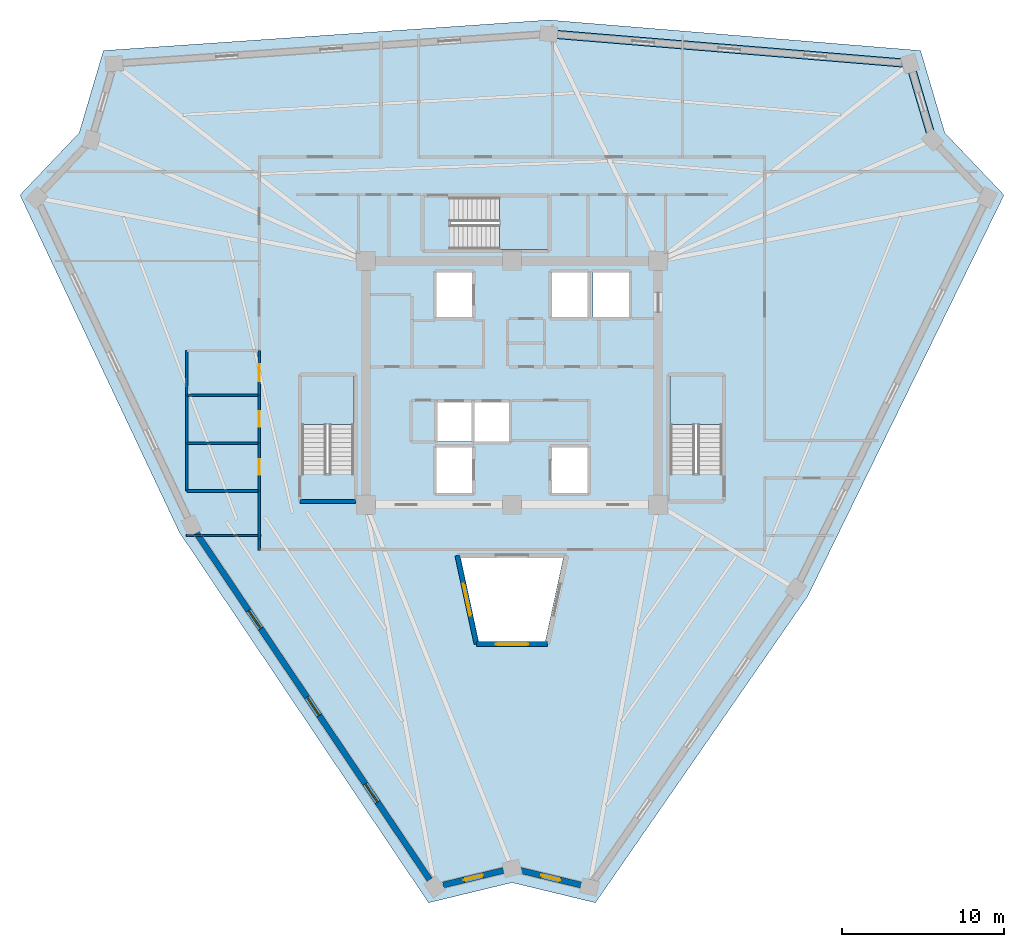
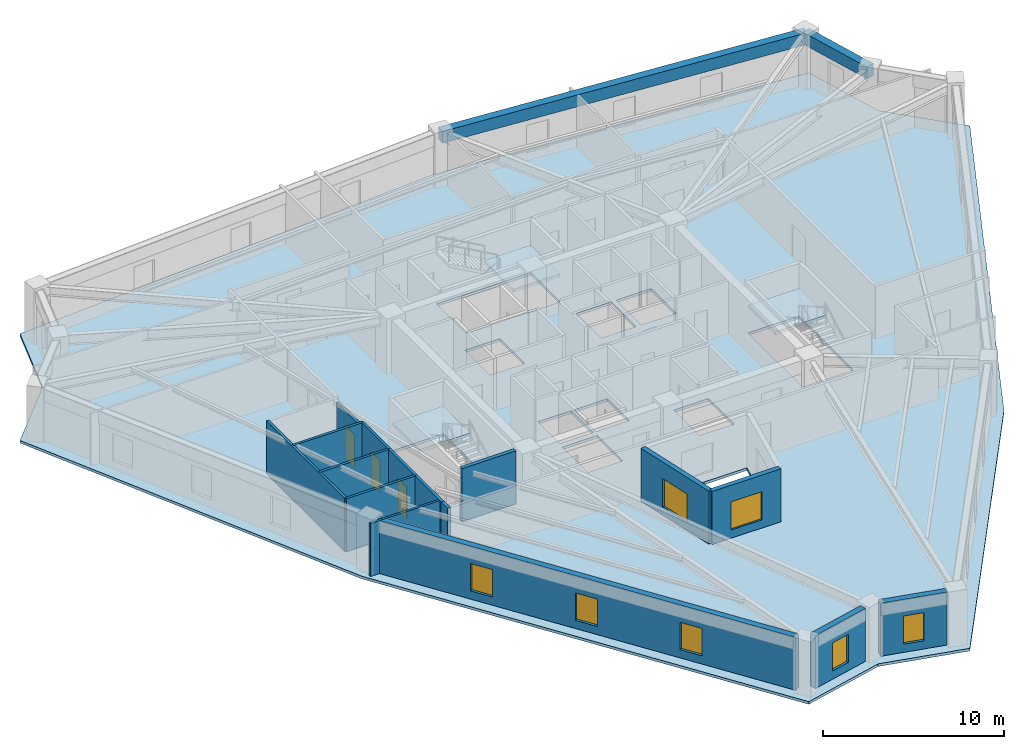
# One storey, part 2 of 8: 16 walls, 7 windows, 4 slabs, 3 doors, 2 beams, 10 openings, 3 elements without a shape of their own.
"""IFC4 building model written with IfcOpenShell, lengths in metres."""

from ifc_helpers import new_model, si_unit, direction, frame, frame_2d, origin, origin_2d, place, context, subcontext, project, spatial, polyline, rectangle, outline, extrude, source, transform, mapped, material, layer, layer_set, material_profile, profile_set, type_object, element, fill, aggregate, save


model = new_model("IFC4")

# Units and contexts
model_context = context("Model", 3, precision=1e-05, world=origin(), true_north=direction((0.0, 1.0)))
body_context = subcontext(model_context, "Body", "Model", "MODEL_VIEW")
ifc_project = project(units=[si_unit("LENGTHUNIT", "METRE"), si_unit("AREAUNIT", "SQUARE_METRE"), si_unit("VOLUMEUNIT", "CUBIC_METRE"), si_unit("PLANEANGLEUNIT", "RADIAN"), si_unit("MASSUNIT", "GRAM", prefix="KILO")], contexts=[model_context])

# Site, building, storey
site_placement = place(None, origin())
site = spatial("IfcSite", under=ifc_project, at=site_placement, CompositionType="ELEMENT")
building_placement = place(site_placement, origin())
building = spatial("IfcBuilding", under=site, at=building_placement, Name="Liaohun Quay Tower", CompositionType="ELEMENT")
storey_placement = place(building_placement, frame((0.0, 0.0, 332.25)))
storey = spatial("IfcBuildingStorey", under=building, at=storey_placement, Name="L86", CompositionType="ELEMENT", Elevation=332.25)

# Beams
ifc_material_1 = material(Name="Precast concrete C50", Category="concrete")
ifc_material_profile = material_profile(ifc_material_1, rectangle(XDim=0.5, YDim=0.800048828125, at=origin_2d()), Name="RC500x800")
ifc_profile_set = profile_set([ifc_material_profile], Name="Precast concrete C50")
beam_type = type_object("IfcBeamType", Name="BM-SPD-Z4", PredefinedType="SPANDREL", material=ifc_profile_set)
shared_shape_1 = source(origin(), body_context, "Body", "SweptSolid", [
    extrude(rectangle(XDim=0.5, YDim=0.800048828125, at=origin_2d()), origin(), (0.0, 0.0, 1.0), 22.320068359375),
])
beam_1_placement = place(storey_placement, frame((62.258056640625, 75.485107421875, 3.169921875), z_axis=(0.996632933955, -0.081992651846, 0.0), x_axis=(0.081992651846, 0.996632933955, 0.0)))
element("IfcBeam", 1, at=beam_1_placement, inside=storey, type_object=beam_type, Name="L86 Precast Spandrel Beam PC06-PC07", PredefinedType="SPANDREL", context=body_context, shape_type="MappedRepresentation", body=[
    mapped(shared_shape_1, transform((0.0, 0.0, 0.0), x_axis=(1.0, 0.0, 0.0), y_axis=(0.0, 1.0, 0.0), z_axis=(0.0, 0.0, 1.0), scale=1.0)),
])
shared_shape_2 = source(origin(), body_context, "Body", "SweptSolid", [
    extrude(rectangle(XDim=0.5, YDim=0.800048828125, at=origin_2d()), origin(), (0.0, 0.0, 1.0), 4.907470703125),
])
beam_2_placement = place(storey_placement, frame((84.5029296875, 73.655029296875, 3.169921875), z_axis=(0.282871920736, -0.959157691133, 0.0), x_axis=(0.959157691133, 0.282871920736, 0.0)))
element("IfcBeam", 2, at=beam_2_placement, inside=storey, type_object=beam_type, Name="L86 Precast Spandrel Beam PC07-PC08", PredefinedType="SPANDREL", context=body_context, shape_type="MappedRepresentation", body=[
    mapped(shared_shape_2, transform((0.0, 0.0, 0.0), x_axis=(1.0, 0.0, 0.0), y_axis=(0.0, 1.0, 0.0), z_axis=(0.0, 0.0, 1.0), scale=1.0)),
])

# Stair, slab
ifc_material_2 = material(Name="Concrete C45", Category="concrete")
stair_type = type_object("IfcStairType", Name="STR-CORE-OFF", PredefinedType="HALF_TURN_STAIR", material=ifc_material_2)
stair_1_placement = place(storey_placement, origin())
stair_1 = element("IfcStair", 3, at=stair_1_placement, inside=storey, type_object=stair_type, Name="L86 Smokeproof Core Exit Stair ST-1", PredefinedType="HALF_TURN_STAIR")
ifc_layer_1 = layer(ifc_material_2, 0.199951171875, Name="Concrete C45", Category="concrete")
ifc_layer_set_1 = layer_set([ifc_layer_1], Name="Concrete C45")
slab_type_1 = type_object("IfcSlabType", Name="SLB-LND-200", PredefinedType="LANDING", material=ifc_layer_set_1)
slab_1_placement = place(storey_placement, frame((0.0, 0.0, 1.675048828125)))
slab_1 = element("IfcSlab", 4, at=slab_1_placement, type_object=slab_type_1, Name="ST-1 landing 1", PredefinedType="LANDING", context=body_context, shape_type="SweptSolid", body=[
    extrude(outline(polyline([(50.280029296875, 51.429931640625), (50.280029296875, 54.419921875), (47.0400390625, 54.419921875), (47.0400390625, 51.429931640625), (50.280029296875, 51.429931640625)])), origin(), (0.0, 0.0, 1.0), 0.199951171875),
])
aggregate(stair_1, [slab_1])

stair_2_placement = place(storey_placement, origin())
stair_2 = element("IfcStair", 5, at=stair_2_placement, inside=storey, type_object=stair_type, Name="L86 Smokeproof Core Exit Stair ST-2", PredefinedType="HALF_TURN_STAIR")
slab_2_placement = place(storey_placement, frame((0.0, 0.0, 1.675048828125)))
slab_2 = element("IfcSlab", 6, at=slab_2_placement, type_object=slab_type_1, Name="ST-2 landing 1", PredefinedType="LANDING", context=body_context, shape_type="SweptSolid", body=[
    extrude(outline(polyline([(72.9599609375, 51.429931640625), (72.9599609375, 54.419921875), (69.719970703125, 54.419921875), (69.719970703125, 51.429931640625), (72.9599609375, 51.429931640625)])), origin(), (0.0, 0.0, 1.0), 0.199951171875),
])
aggregate(stair_2, [slab_2])

stair_3_placement = place(storey_placement, origin())
stair_3 = element("IfcStair", 7, at=stair_3_placement, inside=storey, type_object=stair_type, Name="L86 Smokeproof Core Exit Stair ST-3", PredefinedType="HALF_TURN_STAIR")
slab_3_placement = place(storey_placement, frame((0.0, 0.0, 1.675048828125)))
slab_3 = element("IfcSlab", 8, at=slab_3_placement, type_object=slab_type_1, Name="ST-3 landing 1", PredefinedType="LANDING", context=body_context, shape_type="SweptSolid", body=[
    extrude(outline(polyline([(59.22998046875, 62.199951171875), (62.219970703125, 62.199951171875), (62.219970703125, 65.43994140625), (59.22998046875, 65.43994140625), (59.22998046875, 62.199951171875)])), origin(), (0.0, 0.0, 1.0), 0.199951171875),
])
aggregate(stair_3, [slab_3])

# Slab
ifc_layer_2 = layer(ifc_material_2, 0.179931640625, Name="Concrete C45", Category="concrete")
ifc_layer_set_2 = layer_set([ifc_layer_2], Name="Concrete C45")
slab_type_2 = type_object("IfcSlabType", Name="SLB-OFF-180", PredefinedType="FLOOR", material=ifc_layer_set_2)
slab_4_placement = place(storey_placement, frame((0.0, 0.0, -0.179931640625)))
element("IfcSlab", 9, at=slab_4_placement, inside=storey, type_object=slab_type_2, Name="L86 Structural Floor Slab", PredefinedType="FLOOR", context=body_context, shape_type="SweptSolid", body=[
    extrude(outline(polyline([(54.863037109375, 21.989013671875), (60.0, 23.22998046875), (65.136962890625, 21.989013671875), (78.2119140625, 40.87109375), (90.291015625, 65.556884765625), (86.64794921875, 69.385009765625), (85.154052734375, 74.4541015625), (62.263916015625, 76.3369140625), (34.845947265625, 74.4541015625), (33.35205078125, 69.385009765625), (29.708984375, 65.556884765625), (39.52392578125, 44.7919921875), (54.863037109375, 21.989013671875)]), holes=[polyline([(57.56005859375, 50.030029296875), (55.340087890625, 50.030029296875), (55.340087890625, 47.2099609375), (57.56005859375, 47.2099609375), (57.56005859375, 50.030029296875)]), polyline([(47.0400390625, 54.419921875), (47.0400390625, 48.409912109375), (50.280029296875, 48.409912109375), (50.280029296875, 54.419921875), (47.0400390625, 54.419921875)]), polyline([(57.510009765625, 52.81005859375), (55.389892578125, 52.81005859375), (55.389892578125, 50.389892578125), (57.510009765625, 50.389892578125), (57.510009765625, 52.81005859375)]), polyline([(59.81005859375, 50.389892578125), (59.81005859375, 52.81005859375), (57.68994140625, 52.81005859375), (57.68994140625, 50.389892578125), (59.81005859375, 50.389892578125)]), polyline([(57.56005859375, 58.0400390625), (57.56005859375, 60.7900390625), (55.340087890625, 60.7900390625), (55.340087890625, 58.0400390625), (57.56005859375, 58.0400390625)]), polyline([(62.219970703125, 65.43994140625), (56.2099609375, 65.43994140625), (56.2099609375, 62.199951171875), (62.219970703125, 62.199951171875), (62.219970703125, 65.43994140625)]), polyline([(62.052978515625, 38.0859375), (63.157958984375, 43.199951171875), (56.842041015625, 43.199951171875), (57.947021484375, 38.0859375), (62.052978515625, 38.0859375)]), polyline([(64.659912109375, 47.2099609375), (64.659912109375, 50.030029296875), (62.43994140625, 50.030029296875), (62.43994140625, 47.2099609375), (64.659912109375, 47.2099609375)]), polyline([(69.719970703125, 54.419921875), (69.719970703125, 48.409912109375), (72.9599609375, 48.409912109375), (72.9599609375, 54.419921875), (69.719970703125, 54.419921875)]), polyline([(64.659912109375, 58.0400390625), (64.659912109375, 60.7900390625), (62.43994140625, 60.7900390625), (62.43994140625, 58.0400390625), (64.659912109375, 58.0400390625)]), polyline([(67.2099609375, 58.0400390625), (67.2099609375, 60.7900390625), (64.989990234375, 60.7900390625), (64.989990234375, 58.0400390625), (67.2099609375, 58.0400390625)])]), origin(), (0.0, 0.0, 1.0), 0.179931640625),
])

# Wall, opening, window
ifc_material_3 = material(Name="Concrete C50", Category="concrete")
ifc_layer_3 = layer(ifc_material_3, 0.300048828125, Name="Concrete C50", Category="concrete")
ifc_layer_set_3 = layer_set([ifc_layer_3], Name="Concrete C50")
wall_type_1 = type_object("IfcWallType", Name="WAL-ATR-300", PredefinedType="SOLIDWALL", material=ifc_layer_set_3)
wall_1_placement = place(storey_placement, frame((57.81005859375, 37.916015625, 0.0), z_axis=(0.0, 0.0, 1.0), x_axis=(-0.211279697176, 0.977425644006, 0.0)))
wall_1 = element("IfcWall", 10, at=wall_1_placement, inside=storey, type_object=wall_type_1, Name="L86 Atrium Fire Compartment Wall 1", PredefinedType="SOLIDWALL", context=body_context, shape_type="SweptSolid", body=[
    extrude(rectangle(XDim=5.580078125, YDim=0.300048828125, at=frame_2d((2.7900390625, 0.0))), origin(), (0.0, 0.0, 1.0), 3.570068359375),
])
shared_shape_3 = source(origin(), body_context, "Body", "SweptSolid", [
    extrude(rectangle(XDim=2.0, YDim=1.89990234375, at=frame_2d((1.0, 0.949951171875))), frame((0.0, 0.159912109375, 0.0), z_axis=(0.0, -1.0, 0.0), x_axis=(1.0, 0.0, 0.0)), (0.0, 0.0, 1.0), 0.320068359375),
])
opening_1_placement = place(wall_1_placement, frame((1.7900390625, 0.0, 0.550048828125)))
opening_1 = element("IfcOpeningElement", 11, at=opening_1_placement, cuts=wall_1, Name="Opening W07", PredefinedType="OPENING", context=body_context, shape_type="MappedRepresentation", body=[
    mapped(shared_shape_3, transform((0.0, 0.0, 0.0), x_axis=(1.0, 0.0, 0.0), y_axis=(0.0, 1.0, 0.0), z_axis=(0.0, 0.0, 1.0), scale=1.0)),
])
ifc_material_4 = material(Name="Class A 180-min fire-resistant insulated glazing", Category="glass")
window_type_1 = type_object("IfcWindowType", Name="WIN-ATR-FIR", PartitioningType="DOUBLE_PANEL_VERTICAL", PredefinedType="WINDOW", material=ifc_material_4)
shared_shape_4 = source(origin(), body_context, "Body", "SweptSolid", [
    extrude(rectangle(XDim=2.0, YDim=1.89990234375, at=frame_2d((1.0, 0.949951171875))), frame((0.0, 0.030029296875, 0.0), z_axis=(0.0, -1.0, 0.0), x_axis=(1.0, 0.0, 0.0)), (0.0, 0.0, 1.0), 0.06005859375),
])
window_1_placement = place(opening_1_placement, origin())
window_1 = element("IfcWindow", 12, at=window_1_placement, inside=storey, type_object=window_type_1, Name="L86 Atrium Fire-Resistant Glazing W07-1", OverallHeight=1.89990234375, OverallWidth=2.0, PartitioningType="DOUBLE_PANEL_VERTICAL", PredefinedType="WINDOW", context=body_context, shape_type="MappedRepresentation", body=[
    mapped(shared_shape_4, transform((0.0, 0.0, 0.0), x_axis=(1.0, 0.0, 0.0), y_axis=(0.0, 1.0, 0.0), z_axis=(0.0, 0.0, 1.0), scale=1.0)),
])
fill(opening_1, window_1)

wall_2_placement = place(storey_placement, frame((62.18994140625, 37.916015625, 0.0), z_axis=(0.0, 0.0, 1.0), x_axis=(-1.0, 0.0, 0.0)))
wall_2 = element("IfcWall", 13, at=wall_2_placement, inside=storey, type_object=wall_type_1, Name="L86 Atrium Fire Compartment Wall 4", PredefinedType="SOLIDWALL", context=body_context, shape_type="SweptSolid", body=[
    extrude(rectangle(XDim=4.3798828125, YDim=0.300048828125, at=frame_2d((2.18994140625, 0.0))), origin(), (0.0, 0.0, 1.0), 3.570068359375),
])
opening_2_placement = place(wall_2_placement, frame((1.18994140625, 0.0, 0.550048828125)))
opening_2 = element("IfcOpeningElement", 14, at=opening_2_placement, cuts=wall_2, Name="Opening W07", PredefinedType="OPENING", context=body_context, shape_type="MappedRepresentation", body=[
    mapped(shared_shape_3, transform((0.0, 0.0, 0.0), x_axis=(1.0, 0.0, 0.0), y_axis=(0.0, 1.0, 0.0), z_axis=(0.0, 0.0, 1.0), scale=1.0)),
])
window_2_placement = place(opening_2_placement, origin())
window_2 = element("IfcWindow", 15, at=window_2_placement, inside=storey, type_object=window_type_1, Name="L86 Atrium Fire-Resistant Glazing W07-4", OverallHeight=1.89990234375, OverallWidth=2.0, PartitioningType="DOUBLE_PANEL_VERTICAL", PredefinedType="WINDOW", context=body_context, shape_type="MappedRepresentation", body=[
    mapped(shared_shape_4, transform((0.0, 0.0, 0.0), x_axis=(1.0, 0.0, 0.0), y_axis=(0.0, 1.0, 0.0), z_axis=(0.0, 0.0, 1.0), scale=1.0)),
])
fill(opening_2, window_2)

ifc_material_5 = material(Name="Precast concrete C50 insulated sandwich", Category="concrete")
ifc_layer_4 = layer(ifc_material_5, 0.3798828125, Name="Precast concrete C50 insulated sandwich", Category="concrete")
ifc_layer_set_4 = layer_set([ifc_layer_4], Name="Precast concrete C50 insulated sandwich")
wall_type_2 = type_object("IfcWallType", Name="WAL-EXT-Z34", PredefinedType="SOLIDWALL", material=ifc_layer_set_4)
wall_3_placement = place(storey_placement, frame((60.52490234375, 23.97705078125, 0.0), z_axis=(0.0, 0.0, 1.0), x_axis=(0.972084215522, -0.234632218447, 0.0)))
wall_3 = element("IfcWall", 16, at=wall_3_placement, inside=storey, type_object=wall_type_2, Name="L86 Brutalist Precast Pier Wall 01", PredefinedType="SOLIDWALL", context=body_context, shape_type="SweptSolid", body=[
    extrude(rectangle(XDim=3.8271484375, YDim=0.3798828125, at=frame_2d((1.91357421875, 0.0))), origin(), (0.0, 0.0, 1.0), 3.570068359375),
])
shared_shape_5 = source(origin(), body_context, "Body", "SweptSolid", [
    extrude(rectangle(XDim=1.199951171875, YDim=1.89990234375, at=frame_2d((0.60009765625, 0.949951171875))), frame((0.0, 0.199951171875, 0.0), z_axis=(0.0, -1.0, 0.0), x_axis=(1.0, 0.0, 0.0)), (0.0, 0.0, 1.0), 0.39990234375),
])
opening_3_placement = place(wall_3_placement, frame((1.31298828125, 0.0, 0.550048828125)))
opening_3 = element("IfcOpeningElement", 17, at=opening_3_placement, cuts=wall_3, Name="Opening W05", PredefinedType="OPENING", context=body_context, shape_type="MappedRepresentation", body=[
    mapped(shared_shape_5, transform((0.0, 0.0, 0.0), x_axis=(1.0, 0.0, 0.0), y_axis=(0.0, 1.0, 0.0), z_axis=(0.0, 0.0, 1.0), scale=1.0)),
])
ifc_material_6 = material(Name="Triple Low-E corner notch glazing", Category="glass")
window_type_2 = type_object("IfcWindowType", Name="WIN-NOTCH", PartitioningType="SINGLE_PANEL", PredefinedType="WINDOW", material=ifc_material_6)
shared_shape_6 = source(origin(), body_context, "Body", "SweptSolid", [
    extrude(rectangle(XDim=1.199951171875, YDim=1.89990234375, at=frame_2d((0.60009765625, 0.949951171875))), frame((0.0, 0.030029296875, 0.0), z_axis=(0.0, -1.0, 0.0), x_axis=(1.0, 0.0, 0.0)), (0.0, 0.0, 1.0), 0.06005859375),
])
window_3_placement = place(opening_3_placement, origin())
window_3 = element("IfcWindow", 18, at=window_3_placement, inside=storey, type_object=window_type_2, Name="L86 Corner Notch Window W05-01", OverallHeight=1.89990234375, OverallWidth=1.199951171875, PartitioningType="SINGLE_PANEL", PredefinedType="WINDOW", context=body_context, shape_type="MappedRepresentation", body=[
    mapped(shared_shape_6, transform((0.0, 0.0, 0.0), x_axis=(1.0, 0.0, 0.0), y_axis=(0.0, 1.0, 0.0), z_axis=(0.0, 0.0, 1.0), scale=1.0)),
])
fill(opening_3, window_3)

# Wall, openings, windows
wall_4_placement = place(storey_placement, frame((40.56591796875, 44.764892578125, 0.0), z_axis=(0.0, 0.0, 1.0), x_axis=(0.558170282959, -0.829726421913, 0.0)))
wall_4 = element("IfcWall", 19, at=wall_4_placement, inside=storey, type_object=wall_type_2, Name="L86 Brutalist Precast Pier Wall 11", PredefinedType="SOLIDWALL", context=body_context, shape_type="SweptSolid", body=[
    extrude(rectangle(XDim=25.746826171875, YDim=0.3798828125, at=frame_2d((12.87353515625, 0.0))), origin(), (0.0, 0.0, 1.0), 3.570068359375),
])
shared_shape_7 = source(origin(), body_context, "Body", "SweptSolid", [
    extrude(rectangle(XDim=1.35009765625, YDim=1.85009765625, at=frame_2d((0.675048828125, 0.925048828125))), frame((0.0, 0.199951171875, 0.0), z_axis=(0.0, -1.0, 0.0), x_axis=(1.0, 0.0, 0.0)), (0.0, 0.0, 1.0), 0.39990234375),
])
opening_4_placement = place(wall_4_placement, frame((5.761962890625, 0.0, 0.550048828125)))
opening_4 = element("IfcOpeningElement", 20, at=opening_4_placement, cuts=wall_4, Name="Opening W04", PredefinedType="OPENING", context=body_context, shape_type="MappedRepresentation", body=[
    mapped(shared_shape_7, transform((0.0, 0.0, 0.0), x_axis=(1.0, 0.0, 0.0), y_axis=(0.0, 1.0, 0.0), z_axis=(0.0, 0.0, 1.0), scale=1.0)),
])
opening_5_placement = place(wall_4_placement, frame((12.197998046875, 0.0, 0.550048828125)))
opening_5 = element("IfcOpeningElement", 21, at=opening_5_placement, cuts=wall_4, Name="Opening W04", PredefinedType="OPENING", context=body_context, shape_type="MappedRepresentation", body=[
    mapped(shared_shape_7, transform((0.0, 0.0, 0.0), x_axis=(1.0, 0.0, 0.0), y_axis=(0.0, 1.0, 0.0), z_axis=(0.0, 0.0, 1.0), scale=1.0)),
])
opening_6_placement = place(wall_4_placement, frame((18.635009765625, 0.0, 0.550048828125)))
opening_6 = element("IfcOpeningElement", 22, at=opening_6_placement, cuts=wall_4, Name="Opening W04", PredefinedType="OPENING", context=body_context, shape_type="MappedRepresentation", body=[
    mapped(shared_shape_7, transform((0.0, 0.0, 0.0), x_axis=(1.0, 0.0, 0.0), y_axis=(0.0, 1.0, 0.0), z_axis=(0.0, 0.0, 1.0), scale=1.0)),
])
ifc_material_7 = material(Name="Triple Low-E argon glazing in thermally broken aluminium", Category="aluminium")
window_type_3 = type_object("IfcWindowType", Name="WIN-PUN-Z4", PartitioningType="SINGLE_PANEL", PredefinedType="WINDOW", material=ifc_material_7)
shared_shape_8 = source(origin(), body_context, "Body", "SweptSolid", [
    extrude(rectangle(XDim=1.35009765625, YDim=1.85009765625, at=frame_2d((0.675048828125, 0.925048828125))), frame((0.0, 0.030029296875, 0.0), z_axis=(0.0, -1.0, 0.0), x_axis=(1.0, 0.0, 0.0)), (0.0, 0.0, 1.0), 0.06005859375),
])
window_4_placement = place(opening_4_placement, origin())
window_4 = element("IfcWindow", 23, at=window_4_placement, inside=storey, type_object=window_type_3, Name="L86 Recessed Cold-Climate Punched Window 11-1", OverallHeight=1.85009765625, OverallWidth=1.35009765625, PartitioningType="SINGLE_PANEL", PredefinedType="WINDOW", context=body_context, shape_type="MappedRepresentation", body=[
    mapped(shared_shape_8, transform((0.0, 0.0, 0.0), x_axis=(1.0, 0.0, 0.0), y_axis=(0.0, 1.0, 0.0), z_axis=(0.0, 0.0, 1.0), scale=1.0)),
])
fill(opening_4, window_4)
window_5_placement = place(opening_5_placement, origin())
window_5 = element("IfcWindow", 24, at=window_5_placement, inside=storey, type_object=window_type_3, Name="L86 Recessed Cold-Climate Punched Window 11-2", OverallHeight=1.85009765625, OverallWidth=1.35009765625, PartitioningType="SINGLE_PANEL", PredefinedType="WINDOW", context=body_context, shape_type="MappedRepresentation", body=[
    mapped(shared_shape_8, transform((0.0, 0.0, 0.0), x_axis=(1.0, 0.0, 0.0), y_axis=(0.0, 1.0, 0.0), z_axis=(0.0, 0.0, 1.0), scale=1.0)),
])
fill(opening_5, window_5)
window_6_placement = place(opening_6_placement, origin())
window_6 = element("IfcWindow", 25, at=window_6_placement, inside=storey, type_object=window_type_3, Name="L86 Recessed Cold-Climate Punched Window 11-3", OverallHeight=1.85009765625, OverallWidth=1.35009765625, PartitioningType="SINGLE_PANEL", PredefinedType="WINDOW", context=body_context, shape_type="MappedRepresentation", body=[
    mapped(shared_shape_8, transform((0.0, 0.0, 0.0), x_axis=(1.0, 0.0, 0.0), y_axis=(0.0, 1.0, 0.0), z_axis=(0.0, 0.0, 1.0), scale=1.0)),
])
fill(opening_6, window_6)

# Wall, opening, window
wall_5_placement = place(storey_placement, frame((55.762939453125, 23.0810546875, 0.0), z_axis=(0.0, 0.0, 1.0), x_axis=(0.972084722694, 0.234630117217, 0.0)))
wall_5 = element("IfcWall", 26, at=wall_5_placement, inside=storey, type_object=wall_type_2, Name="L86 Brutalist Precast Pier Wall 12", PredefinedType="SOLIDWALL", context=body_context, shape_type="SweptSolid", body=[
    extrude(rectangle(XDim=3.81884765625, YDim=0.3798828125, at=frame_2d((1.909423828125, 0.0))), origin(), (0.0, 0.0, 1.0), 3.570068359375),
])
opening_7_placement = place(wall_5_placement, frame((1.30908203125, 0.0, 0.550048828125)))
opening_7 = element("IfcOpeningElement", 27, at=opening_7_placement, cuts=wall_5, Name="Opening W05", PredefinedType="OPENING", context=body_context, shape_type="MappedRepresentation", body=[
    mapped(shared_shape_5, transform((0.0, 0.0, 0.0), x_axis=(1.0, 0.0, 0.0), y_axis=(0.0, 1.0, 0.0), z_axis=(0.0, 0.0, 1.0), scale=1.0)),
])
window_7_placement = place(opening_7_placement, origin())
window_7 = element("IfcWindow", 28, at=window_7_placement, inside=storey, type_object=window_type_2, Name="L86 Corner Notch Window W05-12", OverallHeight=1.89990234375, OverallWidth=1.199951171875, PartitioningType="SINGLE_PANEL", PredefinedType="WINDOW", context=body_context, shape_type="MappedRepresentation", body=[
    mapped(shared_shape_6, transform((0.0, 0.0, 0.0), x_axis=(1.0, 0.0, 0.0), y_axis=(0.0, 1.0, 0.0), z_axis=(0.0, 0.0, 1.0), scale=1.0)),
])
fill(opening_7, window_7)

# Walls
ifc_material_8 = material(Name="Autoclaved aerated concrete blockwork", Category="masonry")
ifc_layer_5 = layer(ifc_material_8, 0.179931640625, Name="Autoclaved aerated concrete blockwork", Category="masonry")
ifc_layer_set_5 = layer_set([ifc_layer_5], Name="Autoclaved aerated concrete blockwork")
wall_type_3 = type_object("IfcWallType", Name="WAL-PRT-COR", PredefinedType="PARTITIONING", material=ifc_layer_set_5)
wall_6_placement = place(storey_placement, frame((44.43994140625, 44.385009765625, 0.0), z_axis=(0.0, 0.0, 1.0), x_axis=(0.0, 1.0, 0.0)))
element("IfcWall", 29, at=wall_6_placement, inside=storey, type_object=wall_type_3, Name="L86 Interior Partition Wall 050", PredefinedType="PARTITIONING", context=body_context, shape_type="SweptSolid", body=[
    extrude(rectangle(XDim=2.955078125, YDim=0.179931640625, at=frame_2d((1.4775390625, 0.0))), origin(), (0.0, 0.0, 1.0), 3.570068359375),
])
wall_7_placement = place(storey_placement, frame((44.43994140625, 43.669921875, 0.0), z_axis=(0.0, 0.0, 1.0), x_axis=(0.0, 1.0, 0.0)))
element("IfcWall", 30, at=wall_7_placement, inside=storey, type_object=wall_type_3, Name="L86 Interior Partition Wall 051", PredefinedType="PARTITIONING", context=body_context, shape_type="SweptSolid", body=[
    extrude(rectangle(XDim=0.715087890625, YDim=0.179931640625, at=frame_2d((0.357421875, 0.0))), origin(), (0.0, 0.0, 1.0), 3.570068359375),
])
ifc_material_9 = material(Name="Gypsum board on twin steel studs", Category="steel")
ifc_layer_6 = layer(ifc_material_9, 0.139892578125, Name="Gypsum board on twin steel studs", Category="steel")
ifc_layer_set_6 = layer_set([ifc_layer_6], Name="Gypsum board on twin steel studs")
wall_type_4 = type_object("IfcWallType", Name="WAL-PRT-OFF", PredefinedType="PARTITIONING", material=ifc_layer_set_6)
wall_8_placement = place(storey_placement, frame((44.5400390625, 44.60009765625, 0.0), z_axis=(0.0, 0.0, 1.0), x_axis=(-1.0, 0.0, 0.0)))
element("IfcWall", 31, at=wall_8_placement, inside=storey, type_object=wall_type_4, Name="L86 Interior Partition Wall 054", PredefinedType="PARTITIONING", context=body_context, shape_type="SweptSolid", body=[
    extrude(rectangle(XDim=4.6220703125, YDim=0.139892578125, at=frame_2d((2.31103515625, 0.0))), origin(), (0.0, 0.0, 1.0), 3.570068359375),
])

# Wall, opening, door
ifc_material_10 = material(Name="Moisture-resistant masonry blockwork", Category="masonry")
ifc_layer_7 = layer(ifc_material_10, 0.159912109375, Name="Moisture-resistant masonry blockwork", Category="masonry")
ifc_layer_set_7 = layer_set([ifc_layer_7], Name="Moisture-resistant masonry blockwork")
wall_type_5 = type_object("IfcWallType", Name="WAL-PRT-WET", PredefinedType="PARTITIONING", material=ifc_layer_set_7)
wall_9_placement = place(storey_placement, frame((44.43994140625, 47.340087890625, 0.0), z_axis=(0.0, 0.0, 1.0), x_axis=(0.0, 1.0, 0.0)))
wall_9 = element("IfcWall", 32, at=wall_9_placement, inside=storey, type_object=wall_type_5, Name="L86 Interior Partition Wall 009", PredefinedType="PARTITIONING", context=body_context, shape_type="SweptSolid", body=[
    extrude(rectangle(XDim=2.93994140625, YDim=0.159912109375, at=frame_2d((1.469970703125, 0.0))), origin(), (0.0, 0.0, 1.0), 3.570068359375),
])
shared_shape_9 = source(origin(), body_context, "Body", "SweptSolid", [
    extrude(rectangle(XDim=0.949951171875, YDim=2.14990234375, at=frame_2d((0.47509765625, 1.074951171875))), frame((0.0, 0.08984375, 0.0), z_axis=(0.0, -1.0, 0.0), x_axis=(1.0, 0.0, 0.0)), (0.0, 0.0, 1.0), 0.179931640625),
])
opening_8_placement = place(wall_9_placement, frame((0.9951171875, 0.0, 0.0)))
opening_8 = element("IfcOpeningElement", 33, at=opening_8_placement, cuts=wall_9, Name="Opening WD1", PredefinedType="OPENING", context=body_context, shape_type="MappedRepresentation", body=[
    mapped(shared_shape_9, transform((0.0, 0.0, 0.0), x_axis=(1.0, 0.0, 0.0), y_axis=(0.0, 1.0, 0.0), z_axis=(0.0, 0.0, 1.0), scale=1.0)),
])
ifc_material_11 = material(Name="Moisture-resistant laminate timber leaf", Category="wood")
door_type_1 = type_object("IfcDoorType", Name="DOR-WC-950", OperationType="NOTDEFINED", PredefinedType="DOOR", material=ifc_material_11)
shared_shape_10 = source(origin(), body_context, "Body", "SweptSolid", [
    extrude(rectangle(XDim=0.949951171875, YDim=2.14990234375, at=frame_2d((0.47509765625, 1.074951171875))), frame((0.0, 0.02490234375, 0.0), z_axis=(0.0, -1.0, 0.0), x_axis=(1.0, 0.0, 0.0)), (0.0, 0.0, 1.0), 0.050048828125),
])
door_1_placement = place(opening_8_placement, origin())
door_1 = element("IfcDoor", 34, at=door_1_placement, inside=storey, type_object=door_type_1, Name="L86 Male Restroom WC Door", OperationType="SINGLE_SWING_RIGHT", OverallHeight=2.14990234375, OverallWidth=0.949951171875, PredefinedType="DOOR", context=body_context, shape_type="MappedRepresentation", body=[
    mapped(shared_shape_10, transform((0.0, 0.0, 0.0), x_axis=(1.0, 0.0, 0.0), y_axis=(0.0, 1.0, 0.0), z_axis=(0.0, 0.0, 1.0), scale=1.0)),
])
fill(opening_8, door_1)

wall_10_placement = place(storey_placement, frame((44.43994140625, 50.280029296875, 0.0), z_axis=(0.0, 0.0, 1.0), x_axis=(0.0, 1.0, 0.0)))
wall_10 = element("IfcWall", 35, at=wall_10_placement, inside=storey, type_object=wall_type_5, Name="L86 Interior Partition Wall 010", PredefinedType="PARTITIONING", context=body_context, shape_type="SweptSolid", body=[
    extrude(rectangle(XDim=2.9599609375, YDim=0.159912109375, at=frame_2d((1.47998046875, 0.0))), origin(), (0.0, 0.0, 1.0), 3.570068359375),
])
opening_9_placement = place(wall_10_placement, frame((1.0048828125, 0.0, 0.0)))
opening_9 = element("IfcOpeningElement", 36, at=opening_9_placement, cuts=wall_10, Name="Opening WD1", PredefinedType="OPENING", context=body_context, shape_type="MappedRepresentation", body=[
    mapped(shared_shape_9, transform((0.0, 0.0, 0.0), x_axis=(1.0, 0.0, 0.0), y_axis=(0.0, 1.0, 0.0), z_axis=(0.0, 0.0, 1.0), scale=1.0)),
])
door_2_placement = place(opening_9_placement, origin())
door_2 = element("IfcDoor", 37, at=door_2_placement, inside=storey, type_object=door_type_1, Name="L86 Female Restroom WC Door", OperationType="SINGLE_SWING_LEFT", OverallHeight=2.14990234375, OverallWidth=0.949951171875, PredefinedType="DOOR", context=body_context, shape_type="MappedRepresentation", body=[
    mapped(shared_shape_10, transform((0.0, 0.0, 0.0), x_axis=(1.0, 0.0, 0.0), y_axis=(0.0, 1.0, 0.0), z_axis=(0.0, 0.0, 1.0), scale=1.0)),
])
fill(opening_9, door_2)

wall_11_placement = place(storey_placement, frame((44.43994140625, 53.239990234375, 0.0), z_axis=(0.0, 0.0, 1.0), x_axis=(0.0, 1.0, 0.0)))
wall_11 = element("IfcWall", 38, at=wall_11_placement, inside=storey, type_object=wall_type_5, Name="L86 Interior Partition Wall 011", PredefinedType="PARTITIONING", context=body_context, shape_type="SweptSolid", body=[
    extrude(rectangle(XDim=2.739990234375, YDim=0.159912109375, at=frame_2d((1.3701171875, 0.0))), origin(), (0.0, 0.0, 1.0), 3.260986328125),
])
shared_shape_11 = source(origin(), body_context, "Body", "SweptSolid", [
    extrude(rectangle(XDim=1.050048828125, YDim=2.14990234375, at=frame_2d((0.52490234375, 1.074951171875))), frame((0.0, 0.08984375, 0.0), z_axis=(0.0, -1.0, 0.0), x_axis=(1.0, 0.0, 0.0)), (0.0, 0.0, 1.0), 0.179931640625),
])
opening_10_placement = place(wall_11_placement, frame((0.844970703125, 0.0, 0.0)))
opening_10 = element("IfcOpeningElement", 39, at=opening_10_placement, cuts=wall_11, Name="Opening WD2", PredefinedType="OPENING", context=body_context, shape_type="MappedRepresentation", body=[
    mapped(shared_shape_11, transform((0.0, 0.0, 0.0), x_axis=(1.0, 0.0, 0.0), y_axis=(0.0, 1.0, 0.0), z_axis=(0.0, 0.0, 1.0), scale=1.0)),
])
ifc_material_12 = material(Name="Accessible outward-swinging laminate door")
door_type_2 = type_object("IfcDoorType", Name="DOR-AWC-1050", OperationType="NOTDEFINED", PredefinedType="DOOR", material=ifc_material_12)
shared_shape_12 = source(origin(), body_context, "Body", "SweptSolid", [
    extrude(rectangle(XDim=1.050048828125, YDim=2.14990234375, at=frame_2d((0.52490234375, 1.074951171875))), frame((0.0, 0.02490234375, 0.0), z_axis=(0.0, -1.0, 0.0), x_axis=(1.0, 0.0, 0.0)), (0.0, 0.0, 1.0), 0.050048828125),
])
door_3_placement = place(opening_10_placement, origin())
door_3 = element("IfcDoor", 40, at=door_3_placement, inside=storey, type_object=door_type_2, Name="L86 Accessible WC Door", OperationType="SINGLE_SWING_RIGHT", OverallHeight=2.14990234375, OverallWidth=1.050048828125, PredefinedType="DOOR", context=body_context, shape_type="MappedRepresentation", body=[
    mapped(shared_shape_12, transform((0.0, 0.0, 0.0), x_axis=(1.0, 0.0, 0.0), y_axis=(0.0, 1.0, 0.0), z_axis=(0.0, 0.0, 1.0), scale=1.0)),
])
fill(opening_10, door_3)

# Walls
wall_12_placement = place(storey_placement, frame((39.97998046875, 47.340087890625, 0.0), z_axis=(0.0, 0.0, 1.0), x_axis=(0.0, 1.0, 0.0)))
element("IfcWall", 41, at=wall_12_placement, inside=storey, type_object=wall_type_5, Name="L86 Interior Partition Wall 035", PredefinedType="PARTITIONING", context=body_context, shape_type="SweptSolid", body=[
    extrude(rectangle(XDim=8.639892578125, YDim=0.159912109375, at=frame_2d((4.31982421875, 0.0))), origin(), (0.0, 0.0, 1.0), 3.570068359375),
])
for number, where, z_axis, x_axis, name in (
    (42, (39.97998046875, 47.340087890625, 0.0), (0.0, 0.0, 1.0), (1.0, 0.0, 0.0), "L86 Interior Partition Wall 036"),
    (43, (39.97998046875, 50.280029296875, 0.0), (0.0, 0.0, 1.0), (1.0, 0.0, 0.0), "L86 Interior Partition Wall 037"),
    (44, (39.97998046875, 53.239990234375, 0.0), (0.0, 0.0, 1.0), (1.0, 0.0, 0.0), "L86 Interior Partition Wall 038"),
):
    element("IfcWall", number, at=place(storey_placement, frame(where, z_axis=z_axis, x_axis=x_axis)), inside=storey, type_object=wall_type_5, Name=name, PredefinedType="PARTITIONING", context=body_context, shape_type="SweptSolid", body=[
        extrude(rectangle(XDim=4.4599609375, YDim=0.159912109375, at=frame_2d((2.22998046875, 0.0))), origin(), (0.0, 0.0, 1.0), 3.570068359375),
    ])
ifc_layer_8 = layer(ifc_material_3, 0.239990234375, Name="Concrete C50", Category="concrete")
ifc_layer_set_8 = layer_set([ifc_layer_8], Name="Concrete C50")
wall_type_6 = type_object("IfcWallType", Name="WAL-SHF-200", PredefinedType="SOLIDWALL", material=ifc_layer_set_8)
wall_13_placement = place(storey_placement, frame((46.93994140625, 46.699951171875, 0.0), z_axis=(0.0, 0.0, 1.0), x_axis=(1.0, 0.0, 0.0)))
element("IfcWall", 45, at=wall_13_placement, inside=storey, type_object=wall_type_6, Name="L86 Stairwell ST-1 Structural Core Wall S", PredefinedType="SOLIDWALL", context=body_context, shape_type="SweptSolid", body=[
    extrude(rectangle(XDim=3.43994140625, YDim=0.239990234375, at=frame_2d((1.719970703125, 0.0))), origin(), (0.0, 0.0, 1.0), 3.570068359375),
])

save(model, "model.ifc")
